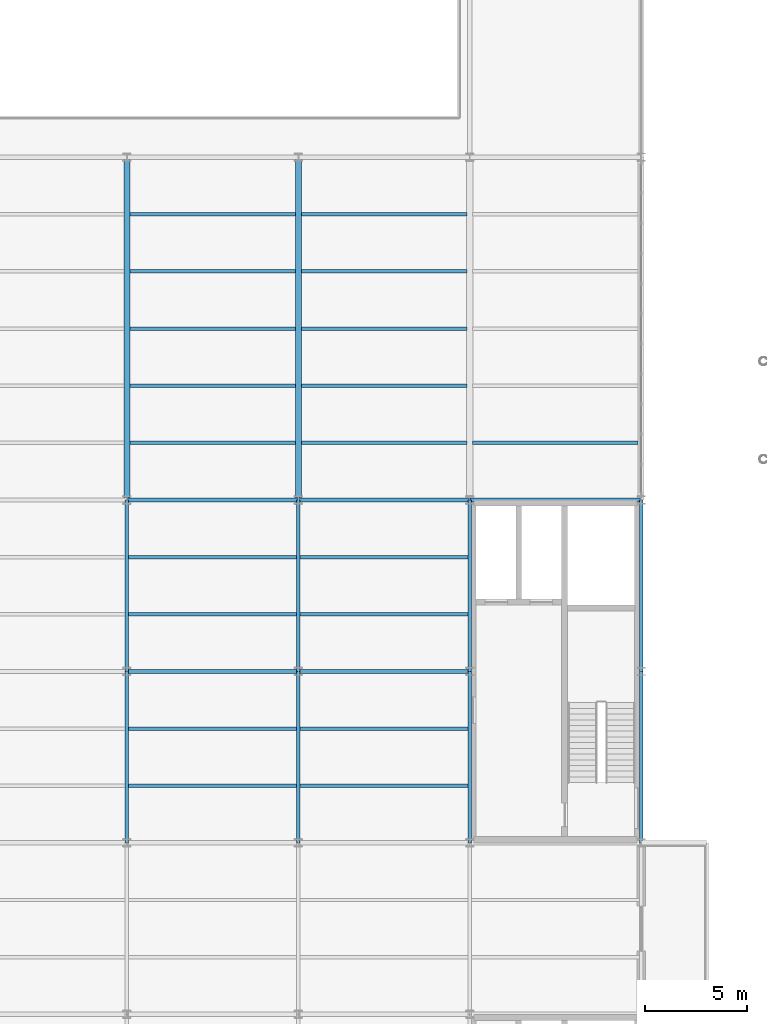
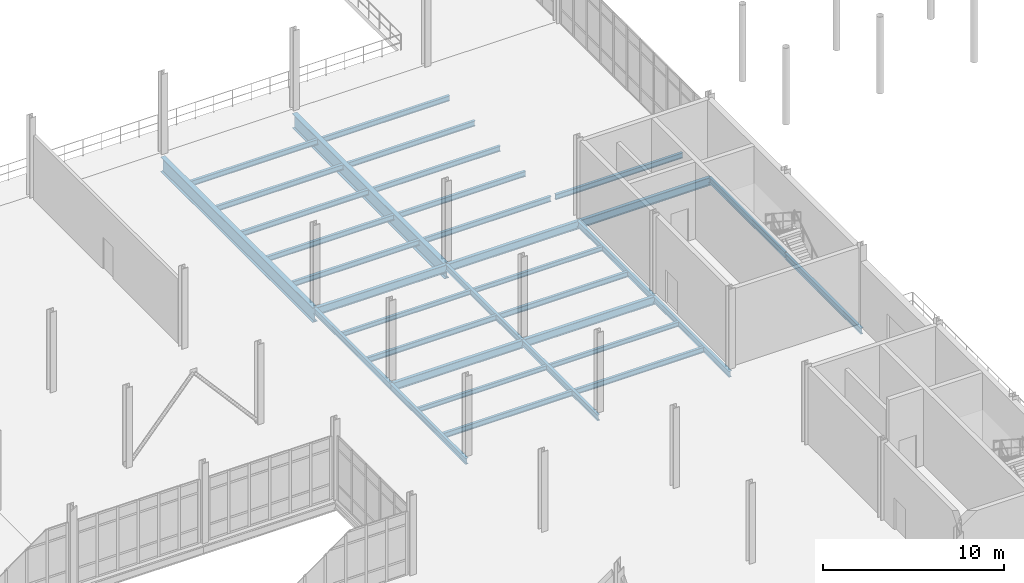
# One storey, part 54 of 111: 34 beams.
"""IFC4 building model written with IfcOpenShell, lengths in metres."""

from ifc_helpers import new_model, si_unit, direction, frame, origin, origin_2d, place, context, subcontext, project, spatial, i_section, extrude, material, material_profile, profile_set, type_object, element, save


model = new_model("IFC4")

# Units and contexts
model_context = context("Model", 3, precision=1e-05, world=origin(), true_north=direction((0.0, 1.0)))
body_context = subcontext(model_context, "Body", "Model", "MODEL_VIEW")
ifc_project = project(units=[si_unit("LENGTHUNIT", "METRE"), si_unit("AREAUNIT", "SQUARE_METRE"), si_unit("VOLUMEUNIT", "CUBIC_METRE"), si_unit("PLANEANGLEUNIT", "RADIAN"), si_unit("MASSUNIT", "GRAM", prefix="KILO"), si_unit("THERMODYNAMICTEMPERATUREUNIT", "KELVIN"), si_unit("POWERUNIT", "WATT")], contexts=[model_context])

# Site, building, storey
site_placement = place(None, origin())
site = spatial("IfcSite", under=ifc_project, at=site_placement, CompositionType="ELEMENT")
building_placement = place(site_placement, origin())
building = spatial("IfcBuilding", under=site, at=building_placement, Name="Tembeka Court Mobility Hub", CompositionType="ELEMENT")
storey_placement = place(building_placement, origin())
storey = spatial("IfcBuildingStorey", under=building, at=storey_placement, Name="L00", CompositionType="ELEMENT", Elevation=0.0)

# Beams
ifc_material = material(Name="Steel S355", Category="steel")
ifc_material_profile_1 = material_profile(ifc_material, i_section(OverallWidth=0.177978515625, OverallDepth=0.406005859375, WebThickness=0.0078125, FlangeThickness=0.0126953125, FilletRadius=0.01025390625, at=origin_2d()), Name="UKB 406x178x60")
ifc_profile_set_1 = profile_set([ifc_material_profile_1], Name="Steel S355")
beam_type_1 = type_object("IfcBeamType", Name="BM-B02", PredefinedType="BEAM", material=ifc_profile_set_1)
for number, where, z_axis, x_axis, name in (
    (1, (67.199951171875, 63.60009765625, -0.48291015625), (0.0, 1.0, 0.0), (-1.0, 0.0, 0.0), "Beam B02 (BM-L00-Y0237)"),
    (2, (67.199951171875, 72.0, -0.48291015625), (0.0, 1.0, 0.0), (-1.0, 0.0, 0.0), "Beam B02 (BM-L00-Y0238)"),
    (3, (75.60009765625, 63.60009765625, -0.48291015625), (0.0, 1.0, 0.0), (-1.0, 0.0, 0.0), "Beam B02 (BM-L00-Y0244)"),
    (4, (75.60009765625, 72.0, -0.48291015625), (0.0, 1.0, 0.0), (-1.0, 0.0, 0.0), "Beam B02 (BM-L00-Y0245)"),
    (5, (84.0, 63.60009765625, -0.48291015625), (0.0, 1.0, 0.0), (-1.0, 0.0, 0.0), "Beam B02 (BM-L00-Y0253)"),
    (6, (84.0, 72.0, -0.48291015625), (0.0, 1.0, 0.0), (-1.0, 0.0, 0.0), "Beam B02 (BM-L00-Y0254)"),
    (7, (92.39990234375, 63.60009765625, -0.52294921875), (0.0, 1.0, 0.0), (-1.0, 0.0, 0.0), "Beam B02 (BM-L00-Y0264)"),
    (8, (92.39990234375, 72.0, -0.48291015625), (0.0, 1.0, 0.0), (-1.0, 0.0, 0.0), "Beam B02 (BM-L00-Y0265)"),
):
    element("IfcBeam", number, at=place(storey_placement, frame(where, z_axis=z_axis, x_axis=x_axis)), inside=storey, type_object=beam_type_1, Name=name, PredefinedType="BEAM", context=body_context, shape_type="SweptSolid", body=[
        extrude(i_section(OverallWidth=0.177978515625, OverallDepth=0.406005859375, WebThickness=0.0078125, FlangeThickness=0.0126953125, FilletRadius=0.01025390625, at=origin_2d()), origin(), (0.0, 0.0, 1.0), 8.39990234375),
    ])
ifc_material_profile_2 = material_profile(ifc_material, i_section(OverallWidth=0.2099609375, OverallDepth=0.537109375, WebThickness=0.0107421875, FlangeThickness=0.017333984375, FilletRadius=0.0126953125, at=origin_2d()), Name="UKB 533x210x101")
ifc_profile_set_2 = profile_set([ifc_material_profile_2], Name="Steel S355")
beam_type_2 = type_object("IfcBeamType", Name="BM-G03", PredefinedType="USERDEFINED", material=ifc_profile_set_2)
beam_1_placement = place(storey_placement, frame((67.199951171875, 72.0, -0.548583984375), z_axis=(1.0, 0.0, 0.0), x_axis=(0.0, 1.0, 0.0)))
element("IfcBeam", 9, at=beam_1_placement, inside=storey, type_object=beam_type_2, Name="Beam G03 (BM-L00-X0114)", ObjectType="GIRDER", PredefinedType="USERDEFINED", context=body_context, shape_type="SweptSolid", body=[
    extrude(i_section(OverallWidth=0.2099609375, OverallDepth=0.537109375, WebThickness=0.0107421875, FlangeThickness=0.017333984375, FilletRadius=0.0126953125, at=origin_2d()), origin(), (0.0, 0.0, 1.0), 8.400146484375),
])
beam_2_placement = place(storey_placement, frame((75.60009765625, 72.0, -0.548583984375), z_axis=(1.0, 0.0, 0.0), x_axis=(0.0, 1.0, 0.0)))
element("IfcBeam", 10, at=beam_2_placement, inside=storey, type_object=beam_type_2, Name="Beam G03 (BM-L00-X0115)", ObjectType="GIRDER", PredefinedType="USERDEFINED", context=body_context, shape_type="SweptSolid", body=[
    extrude(i_section(OverallWidth=0.2099609375, OverallDepth=0.537109375, WebThickness=0.0107421875, FlangeThickness=0.017333984375, FilletRadius=0.0126953125, at=origin_2d()), origin(), (0.0, 0.0, 1.0), 8.39990234375),
])
beam_3_placement = place(storey_placement, frame((67.199951171875, 80.39990234375, -0.548583984375), z_axis=(1.0, 0.0, 0.0), x_axis=(0.0, 1.0, 0.0)))
element("IfcBeam", 11, at=beam_3_placement, inside=storey, type_object=beam_type_2, Name="Beam G03 (BM-L00-X0128)", ObjectType="GIRDER", PredefinedType="USERDEFINED", context=body_context, shape_type="SweptSolid", body=[
    extrude(i_section(OverallWidth=0.2099609375, OverallDepth=0.537109375, WebThickness=0.0107421875, FlangeThickness=0.017333984375, FilletRadius=0.0126953125, at=origin_2d()), origin(), (0.0, 0.0, 1.0), 8.400146484375),
])
for number, where, z_axis, x_axis, name in (
    (12, (75.60009765625, 80.39990234375, -0.548583984375), (1.0, 0.0, 0.0), (0.0, 1.0, 0.0), "Beam G03 (BM-L00-X0129)"),
    (13, (84.0, 80.39990234375, -0.548583984375), (1.0, 0.0, 0.0), (0.0, 1.0, 0.0), "Beam G03 (BM-L00-X0130)"),
):
    element("IfcBeam", number, at=place(storey_placement, frame(where, z_axis=z_axis, x_axis=x_axis)), inside=storey, type_object=beam_type_2, Name=name, ObjectType="GIRDER", PredefinedType="USERDEFINED", context=body_context, shape_type="SweptSolid", body=[
        extrude(i_section(OverallWidth=0.2099609375, OverallDepth=0.537109375, WebThickness=0.0107421875, FlangeThickness=0.017333984375, FilletRadius=0.0126953125, at=origin_2d()), origin(), (0.0, 0.0, 1.0), 8.39990234375),
    ])
ifc_material_profile_3 = material_profile(ifc_material, i_section(OverallWidth=0.172119140625, OverallDepth=0.35498046875, WebThickness=0.00732421875, FlangeThickness=0.011474609375, FilletRadius=0.01025390625, at=origin_2d()), Name="UKB 356x171x51")
ifc_profile_set_3 = profile_set([ifc_material_profile_3], Name="Steel S355")
beam_type_3 = type_object("IfcBeamType", Name="BM-J01", PredefinedType="JOIST", material=ifc_profile_set_3)
for number, where, z_axis, x_axis, name in (
    (14, (67.344970703125, 83.199951171875, -0.45751953125), (1.0, 0.0, 0.0), (0.0, 1.0, 0.0), "Beam J01 (JST-L00-0485)"),
    (15, (67.344970703125, 86.0, -0.45751953125), (1.0, 0.0, 0.0), (0.0, 1.0, 0.0), "Beam J01 (JST-L00-0486)"),
    (16, (67.344970703125, 88.800048828125, -0.45751953125), (1.0, 0.0, 0.0), (0.0, 1.0, 0.0), "Beam J01 (JST-L00-0487)"),
    (17, (67.344970703125, 91.60009765625, -0.45751953125), (1.0, 0.0, 0.0), (0.0, 1.0, 0.0), "Beam J01 (JST-L00-0488)"),
    (18, (67.344970703125, 94.39990234375, -0.45751953125), (1.0, 0.0, 0.0), (0.0, 1.0, 0.0), "Beam J01 (JST-L00-0489)"),
):
    element("IfcBeam", number, at=place(storey_placement, frame(where, z_axis=z_axis, x_axis=x_axis)), inside=storey, type_object=beam_type_3, Name=name, PredefinedType="JOIST", context=body_context, shape_type="SweptSolid", body=[
        extrude(i_section(OverallWidth=0.172119140625, OverallDepth=0.35498046875, WebThickness=0.00732421875, FlangeThickness=0.011474609375, FilletRadius=0.01025390625, at=origin_2d()), origin(), (0.0, 0.0, 1.0), 8.110107421875),
    ])
for number, where, z_axis, x_axis, name in (
    (19, (75.7451171875, 83.199951171875, -0.45751953125), (1.0, 0.0, 0.0), (0.0, 1.0, 0.0), "Beam J01 (JST-L00-0505)"),
    (20, (75.7451171875, 86.0, -0.45751953125), (1.0, 0.0, 0.0), (0.0, 1.0, 0.0), "Beam J01 (JST-L00-0506)"),
    (21, (75.7451171875, 88.800048828125, -0.45751953125), (1.0, 0.0, 0.0), (0.0, 1.0, 0.0), "Beam J01 (JST-L00-0507)"),
    (22, (75.7451171875, 91.60009765625, -0.45751953125), (1.0, 0.0, 0.0), (0.0, 1.0, 0.0), "Beam J01 (JST-L00-0508)"),
    (23, (75.7451171875, 94.39990234375, -0.45751953125), (1.0, 0.0, 0.0), (0.0, 1.0, 0.0), "Beam J01 (JST-L00-0509)"),
    (24, (84.14501953125, 83.199951171875, -0.45751953125), (1.0, 0.0, 0.0), (0.0, 1.0, 0.0), "Beam J01 (JST-L00-0517)"),
):
    element("IfcBeam", number, at=place(storey_placement, frame(where, z_axis=z_axis, x_axis=x_axis)), inside=storey, type_object=beam_type_3, Name=name, PredefinedType="JOIST", context=body_context, shape_type="SweptSolid", body=[
        extrude(i_section(OverallWidth=0.172119140625, OverallDepth=0.35498046875, WebThickness=0.00732421875, FlangeThickness=0.011474609375, FilletRadius=0.01025390625, at=origin_2d()), origin(), (0.0, 0.0, 1.0), 8.10986328125),
    ])
ifc_material_profile_4 = material_profile(ifc_material, i_section(OverallWidth=0.1650390625, OverallDepth=0.303955078125, WebThickness=0.006103515625, FlangeThickness=0.01025390625, FilletRadius=0.0087890625, at=origin_2d()), Name="UKB 305x165x40")
ifc_profile_set_4 = profile_set([ifc_material_profile_4], Name="Steel S355")
beam_type_4 = type_object("IfcBeamType", Name="BM-J02", PredefinedType="JOIST", material=ifc_profile_set_4)
for number, where, z_axis, x_axis, name in (
    (25, (67.283935546875, 69.199951171875, -0.431884765625), (1.0, 0.0, 0.0), (0.0, 1.0, 0.0), "Beam J02 (JST-L00-0482)"),
    (26, (67.283935546875, 77.60009765625, -0.431884765625), (1.0, 0.0, 0.0), (0.0, 1.0, 0.0), "Beam J02 (JST-L00-0484)"),
):
    element("IfcBeam", number, at=place(storey_placement, frame(where, z_axis=z_axis, x_axis=x_axis)), inside=storey, type_object=beam_type_4, Name=name, PredefinedType="JOIST", context=body_context, shape_type="SweptSolid", body=[
        extrude(i_section(OverallWidth=0.1650390625, OverallDepth=0.303955078125, WebThickness=0.006103515625, FlangeThickness=0.01025390625, FilletRadius=0.0087890625, at=origin_2d()), origin(), (0.0, 0.0, 1.0), 8.232177734375),
    ])
for number, where, z_axis, x_axis, name in (
    (27, (75.68408203125, 69.199951171875, -0.431884765625), (1.0, 0.0, 0.0), (0.0, 1.0, 0.0), "Beam J02 (JST-L00-0502)"),
    (28, (75.68408203125, 77.60009765625, -0.431884765625), (1.0, 0.0, 0.0), (0.0, 1.0, 0.0), "Beam J02 (JST-L00-0504)"),
):
    element("IfcBeam", number, at=place(storey_placement, frame(where, z_axis=z_axis, x_axis=x_axis)), inside=storey, type_object=beam_type_4, Name=name, PredefinedType="JOIST", context=body_context, shape_type="SweptSolid", body=[
        extrude(i_section(OverallWidth=0.1650390625, OverallDepth=0.303955078125, WebThickness=0.006103515625, FlangeThickness=0.01025390625, FilletRadius=0.0087890625, at=origin_2d()), origin(), (0.0, 0.0, 1.0), 8.23193359375),
    ])
ifc_material_profile_5 = material_profile(ifc_material, i_section(OverallWidth=0.169921875, OverallDepth=0.360107421875, WebThickness=0.008056640625, FlangeThickness=0.0126953125, FilletRadius=0.01806640625, at=origin_2d()), Name="IPE 360")
ifc_profile_set_5 = profile_set([ifc_material_profile_5], Name="Steel S355")
beam_type_5 = type_object("IfcBeamType", Name="BM-J03", PredefinedType="JOIST", material=ifc_profile_set_5)
for number, where, z_axis, x_axis, name in (
    (29, (67.283935546875, 66.39990234375, -0.4599609375), (1.0, 0.0, 0.0), (0.0, 1.0, 0.0), "Beam J03 (JST-L00-0481)"),
    (30, (67.283935546875, 74.800048828125, -0.4599609375), (1.0, 0.0, 0.0), (0.0, 1.0, 0.0), "Beam J03 (JST-L00-0483)"),
):
    element("IfcBeam", number, at=place(storey_placement, frame(where, z_axis=z_axis, x_axis=x_axis)), inside=storey, type_object=beam_type_5, Name=name, PredefinedType="JOIST", context=body_context, shape_type="SweptSolid", body=[
        extrude(i_section(OverallWidth=0.169921875, OverallDepth=0.360107421875, WebThickness=0.008056640625, FlangeThickness=0.0126953125, FilletRadius=0.01806640625, at=origin_2d()), origin(), (0.0, 0.0, 1.0), 8.232177734375),
    ])
for number, where, z_axis, x_axis, name in (
    (31, (75.68408203125, 66.39990234375, -0.4599609375), (1.0, 0.0, 0.0), (0.0, 1.0, 0.0), "Beam J03 (JST-L00-0501)"),
    (32, (75.68408203125, 74.800048828125, -0.4599609375), (1.0, 0.0, 0.0), (0.0, 1.0, 0.0), "Beam J03 (JST-L00-0503)"),
):
    element("IfcBeam", number, at=place(storey_placement, frame(where, z_axis=z_axis, x_axis=x_axis)), inside=storey, type_object=beam_type_5, Name=name, PredefinedType="JOIST", context=body_context, shape_type="SweptSolid", body=[
        extrude(i_section(OverallWidth=0.169921875, OverallDepth=0.360107421875, WebThickness=0.008056640625, FlangeThickness=0.0126953125, FilletRadius=0.01806640625, at=origin_2d()), origin(), (0.0, 0.0, 1.0), 8.23193359375),
    ])
ifc_material_profile_6 = material_profile(ifc_material, i_section(OverallWidth=0.300048828125, OverallDepth=1.0, WebThickness=0.01904296875, FlangeThickness=0.035888671875, FilletRadius=0.030029296875, at=origin_2d()), Name="HEB 1000")
ifc_profile_set_6 = profile_set([ifc_material_profile_6], Name="Steel S355")
beam_type_6 = type_object("IfcBeamType", Name="BM-TG01", PredefinedType="USERDEFINED", material=ifc_profile_set_6)
for number, where, z_axis, x_axis, name in (
    (33, (67.199951171875, 80.39990234375, -0.780029296875), (0.0, 1.0, 0.0), (-1.0, 0.0, 0.0), "Beam TG01 (BM-L00-Y0239)"),
    (34, (75.60009765625, 80.39990234375, -0.780029296875), (0.0, 1.0, 0.0), (-1.0, 0.0, 0.0), "Beam TG01 (BM-L00-Y0246)"),
):
    element("IfcBeam", number, at=place(storey_placement, frame(where, z_axis=z_axis, x_axis=x_axis)), inside=storey, type_object=beam_type_6, Name=name, ObjectType="GIRDER", PredefinedType="USERDEFINED", context=body_context, shape_type="SweptSolid", body=[
        extrude(i_section(OverallWidth=0.300048828125, OverallDepth=1.0, WebThickness=0.01904296875, FlangeThickness=0.035888671875, FilletRadius=0.030029296875, at=origin_2d()), origin(), (0.0, 0.0, 1.0), 16.800048828125),
    ])

save(model, "model.ifc")
